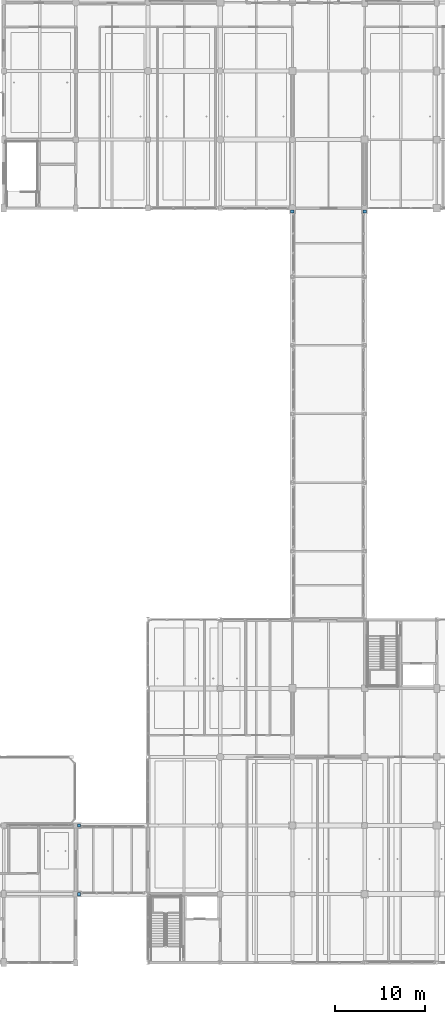
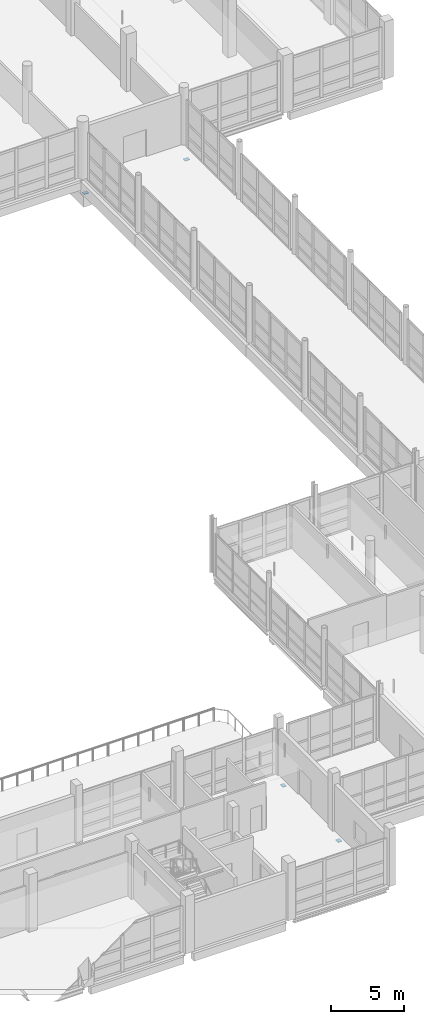
# One storey, part 125 of 147: 4 discrete accessories.
"""IFC4 building model written with IfcOpenShell, lengths in metres."""

from ifc_helpers import new_model, si_unit, direction, frame, origin, origin_2d, place, context, subcontext, project, spatial, rectangle, extrude, material, type_object, element, save


model = new_model("IFC4")

# Units and contexts
model_context = context("Model", 3, precision=1e-05, world=origin(), true_north=direction((0.0, 1.0)))
body_context = subcontext(model_context, "Body", "Model", "MODEL_VIEW")
ifc_project = project(units=[si_unit("LENGTHUNIT", "METRE"), si_unit("AREAUNIT", "SQUARE_METRE"), si_unit("VOLUMEUNIT", "CUBIC_METRE"), si_unit("PLANEANGLEUNIT", "RADIAN"), si_unit("MASSUNIT", "GRAM", prefix="KILO")], contexts=[model_context])

# Site, building, storey
site_placement = place(None, origin())
site = spatial("IfcSite", under=ifc_project, at=site_placement, CompositionType="ELEMENT")
building_placement = place(site_placement, origin())
building = spatial("IfcBuilding", under=site, at=building_placement, Name="Khelvaren Railside Concert Hall", CompositionType="ELEMENT")
storey_placement = place(building_placement, frame((0.0, 0.0, 5.39990234375)))
storey = spatial("IfcBuildingStorey", under=building, at=storey_placement, Name="L01", CompositionType="ELEMENT", Elevation=5.39990234375)

# Discrete accessories
ifc_material = material(Name="Elastomeric PTFE sliding bearing assembly", Category="steel")
discrete_accessory_type = type_object("IfcDiscreteAccessoryType", Name="SB94", PredefinedType="USERDEFINED", material=ifc_material)
for number, where, z_axis, x_axis, name in (
    (1, (136.360107421875, 7.60009765625, -1.2099609375), (0.0, 0.0, 1.0), (1.0, 0.0, 0.0), "East Rehearsal Link Bridge L01 Unguided PTFE Sliding Bearing 1"),
    (2, (136.360107421875, 15.199951171875, -1.2099609375), (0.0, 0.0, 1.0), (1.0, 0.0, 0.0), "East Rehearsal Link Bridge L01 Unguided PTFE Sliding Bearing 2"),
    (3, (160.0, 83.239990234375, -1.2099609375), (0.0, 0.0, 1.0), (0.0, 1.0, 0.0), "East Backstage Artist Link Bridge L01 Unguided PTFE Sliding Bearing 1"),
    (4, (168.0, 83.239990234375, -1.2099609375), (0.0, 0.0, 1.0), (0.0, 1.0, 0.0), "East Backstage Artist Link Bridge L01 Unguided PTFE Sliding Bearing 2"),
):
    element("IfcDiscreteAccessory", number, at=place(storey_placement, frame(where, z_axis=z_axis, x_axis=x_axis)), inside=storey, type_object=discrete_accessory_type, Name=name, ObjectType="SLIDING BEARING", PredefinedType="USERDEFINED", context=body_context, shape_type="SweptSolid", body=[
        extrude(rectangle(XDim=0.300048828125, YDim=0.3798828125, at=origin_2d()), origin(), (0.0, 0.0, 1.0), 0.050048828125),
    ])

save(model, "model.ifc")
